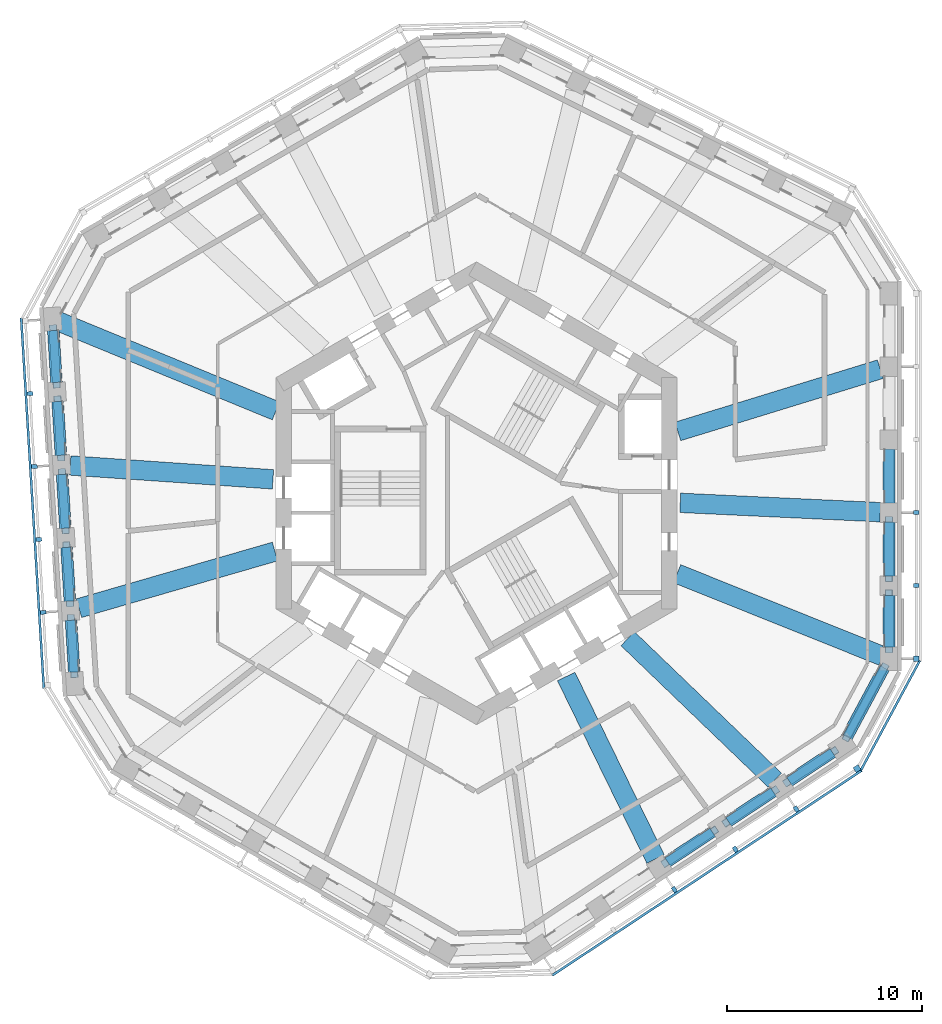
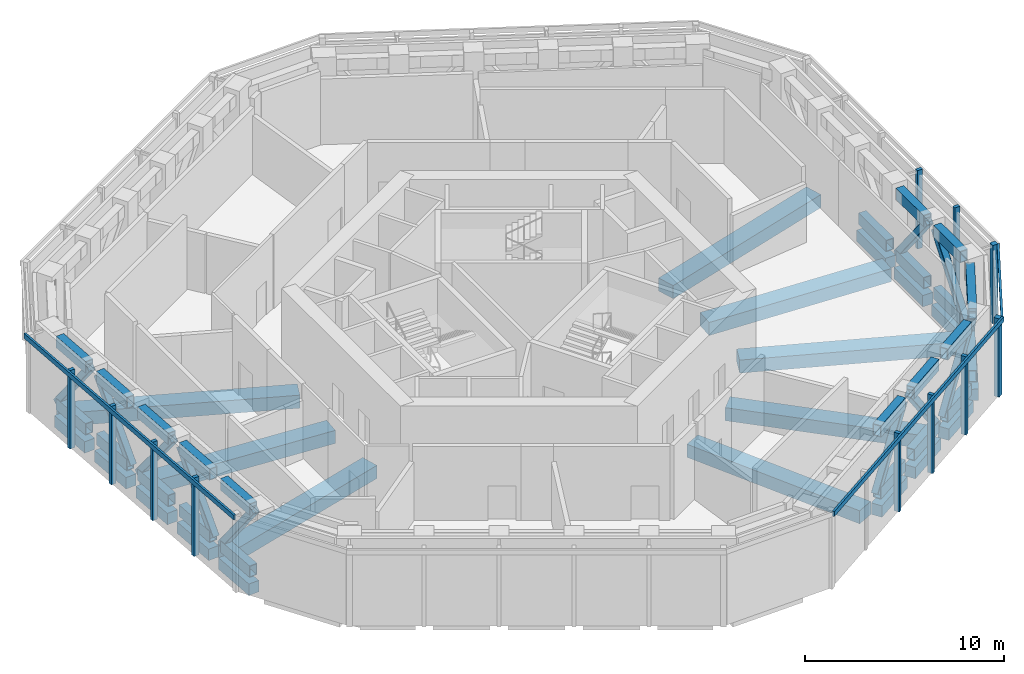
# One storey, part 2 of 15: 48 members, 20 beams, 4 elements without a shape of their own.
"""IFC4 building model written with IfcOpenShell, lengths in metres."""

import ifcopenshell
import ifcopenshell.guid

model = None  # the IFC model being written
_history = None  # IfcOwnerHistory: only IFC2X3 demands one
_inside = {}  # id of a spatial element -> (the spatial element, [elements in it])
_under = {}  # id of a project, library or spatial element -> (it, [spatial elements below it])
_declared = {}  # id of a project -> (the project, [libraries it declares])
_typed = {}  # id of a type object -> (the type object, [elements of that type])
_made_of = {}  # id of a material, layer set ... -> (it, [elements and type objects made of it])


def new_model(schema):
    """Start an empty IFC model of exactly this schema.

    Asked for "IFC4X3", IfcOpenShell would pick the latest addendum, in which some entities
    have other attributes; the version numbers below select the first issue.
    IFC2X3 requires an IfcOwnerHistory on every rooted entity: one is made here for all.
    """
    global model, _history
    if schema == "IFC4X3":
        model = ifcopenshell.file(schema_version=(4, 3, 0, 0))
    else:
        model = ifcopenshell.file(schema=schema)
    _inside.clear()
    _under.clear()
    _declared.clear()
    _typed.clear()
    _made_of.clear()
    _history = None
    if model.schema == "IFC2X3":
        org = make("IfcOrganization", Name="unknown")
        user = make(
            "IfcPersonAndOrganization",
            ThePerson=make("IfcPerson", FamilyName="unknown"),
            TheOrganization=org,
        )
        app = make(
            "IfcApplication",
            ApplicationDeveloper=org,
            Version="unknown",
            ApplicationFullName="unknown",
            ApplicationIdentifier="unknown",
        )
        _history = make(
            "IfcOwnerHistory",
            OwningUser=user,
            OwningApplication=app,
            ChangeAction="ADDED",
            CreationDate=0,
        )
    return model


def make(cls, **values):
    """One entity of the class cls with the attributes given. An attribute that is None is left unset."""
    return model.create_entity(
        cls, **{name: value for name, value in values.items() if value is not None}
    )


def rooted(cls, **values):
    """An entity with a GlobalId (a new one), such as an element, a storey or a relation."""
    return make(cls, GlobalId=ifcopenshell.guid.new(), OwnerHistory=_history, **values)


def si_unit(unit_type, name, prefix=None):
    """IfcSIUnit, for example si_unit("LENGTHUNIT", "METRE", prefix="MILLI")."""
    return make("IfcSIUnit", UnitType=unit_type, Prefix=prefix, Name=name)


def assignment(units):
    """IfcUnitAssignment: the units of a project."""
    return None if units is None else make("IfcUnitAssignment", Units=units)


def point(xyz):
    """IfcCartesianPoint."""
    return None if xyz is None else make("IfcCartesianPoint", Coordinates=xyz)


def direction(xyz):
    """IfcDirection."""
    return None if xyz is None else make("IfcDirection", DirectionRatios=xyz)


def frame(location, z_axis=None, x_axis=None):
    """IfcAxis2Placement3D, a coordinate frame: its origin and axes. An axis left out is left unset."""
    return make(
        "IfcAxis2Placement3D",
        Location=point(location),
        Axis=direction(z_axis),
        RefDirection=direction(x_axis),
    )


def frame_2d(location, x_axis=None):
    """IfcAxis2Placement2D, a coordinate frame in the plane: its origin and x axis."""
    return make(
        "IfcAxis2Placement2D", Location=point(location), RefDirection=direction(x_axis)
    )


def origin():
    """The frame at (0, 0, 0) with its axes left unset."""
    return frame((0.0, 0.0, 0.0))


def origin_2d():
    """The frame at (0, 0) in the plane with its x axis left unset."""
    return frame_2d((0.0, 0.0))


def place(relative_to, where):
    """IfcLocalPlacement: puts the frame where relative to a parent placement (None: the world)."""
    return make(
        "IfcLocalPlacement", PlacementRelTo=relative_to, RelativePlacement=where
    )


def context(
    kind, dimensions, precision=None, world=None, true_north=None, identifier=None
):
    """IfcGeometricRepresentationContext, for example the 3D "Model" context."""
    return make(
        "IfcGeometricRepresentationContext",
        ContextIdentifier=identifier,
        ContextType=kind,
        CoordinateSpaceDimension=dimensions,
        Precision=precision,
        WorldCoordinateSystem=world,
        TrueNorth=true_north,
    )


def subcontext(parent, identifier, kind, view, scale=None):
    """IfcGeometricRepresentationSubContext, for example "Body" below "Model"."""
    return make(
        "IfcGeometricRepresentationSubContext",
        ContextIdentifier=identifier,
        ContextType=kind,
        ParentContext=parent,
        TargetScale=scale,
        TargetView=view,
    )


def project(units=None, contexts=None):
    """IfcProject with its units and contexts."""
    return rooted(
        "IfcProject",
        Name="project",
        RepresentationContexts=contexts,
        UnitsInContext=assignment(units),
    )


def spatial(cls, under=None, at=None, **own):
    """A site, building, storey or space (cls), placed at a placement, below another one or the project."""
    s = rooted(cls, ObjectPlacement=at, **own)
    if under is not None:
        _under.setdefault(under.id(), (under, []))[1].append(s)
    return s


def profile(cls, at=None, kind="AREA", **sizes):
    """A parametric profile (cls). Its sizes go by their IFC names, for example OverallWidth=200.0."""
    return make(cls, ProfileType=kind, Position=at, **sizes)


def rectangle(**sizes):
    """IfcRectangleProfileDef."""
    return profile("IfcRectangleProfileDef", **sizes)


def hollow_rectangle(**sizes):
    """IfcRectangleHollowProfileDef."""
    return profile("IfcRectangleHollowProfileDef", **sizes)


def extrude(swept, where, along, depth):
    """IfcExtrudedAreaSolid: the profile swept, set in the frame where, extruded along a direction by depth."""
    return make(
        "IfcExtrudedAreaSolid",
        SweptArea=swept,
        Position=where,
        ExtrudedDirection=direction(along),
        Depth=depth,
    )


def shape(context_of_items, identifier, shape_type, items):
    """IfcShapeRepresentation: the items that make up one representation, for example the "Body"."""
    return make(
        "IfcShapeRepresentation",
        ContextOfItems=context_of_items,
        RepresentationIdentifier=identifier,
        RepresentationType=shape_type,
        Items=items,
    )


def material(Name=None, Category=None):
    """IfcMaterial."""
    return make("IfcMaterial", Name=Name, Category=Category)


def material_profile(
    of_material, cross_section, Name=None, Category=None, Priority=None
):
    """IfcMaterialProfile: a cross section and its material."""
    return make(
        "IfcMaterialProfile",
        Name=Name,
        Material=of_material,
        Profile=cross_section,
        Priority=Priority,
        Category=Category,
    )


def profile_set(profiles, Name=None, composite=None):
    """IfcMaterialProfileSet."""
    return make(
        "IfcMaterialProfileSet",
        Name=Name,
        MaterialProfiles=profiles,
        CompositeProfile=composite,
    )


def made_of(thing, what):
    """Note that an element or type object is made of a material, layer set ...; save() writes the relation."""
    if what is not None:
        _made_of.setdefault(what.id(), (what, []))[1].append(thing)
    return thing


def type_object(cls, material=None, **own):
    """A type object (cls), such as IfcWallType, which elements share."""
    return made_of(rooted(cls, **own), material)


def element(
    cls,
    number,
    at=None,
    inside=None,
    cuts=None,
    type_object=None,
    material=None,
    context=None,
    identifier="Body",
    shape_type=None,
    held_by="IfcProductDefinitionShape",
    body=None,
    shapes=None,
    **own,
):
    """One element of the class cls, such as IfcWall. Its Tag is "e" and its number.

    at: its placement. inside: the storey or other place that contains it. cuts: it is an
    opening in that element (IfcRelVoidsElement). A single representation is given by context,
    identifier, shape_type and body (its items); several are given by shapes. held_by: the class
    of the entity that holds the representations. save() writes the other relations.
    """
    e = rooted(cls, Tag="e%d" % number, ObjectPlacement=at, **own)
    if body is not None:
        shapes = [shape(context, identifier, shape_type, body)]
    if shapes is not None:
        e.Representation = make(held_by, Representations=shapes)
    if inside is not None:
        _inside.setdefault(inside.id(), (inside, []))[1].append(e)
    if cuts is not None:
        rooted(
            "IfcRelVoidsElement", RelatingBuildingElement=cuts, RelatedOpeningElement=e
        )
    if type_object is not None:
        _typed.setdefault(type_object.id(), (type_object, []))[1].append(e)
    return made_of(e, material)


def aggregate(whole, parts):
    """IfcRelAggregates: a whole, such as a stair, and the parts it consists of."""
    return rooted("IfcRelAggregates", RelatingObject=whole, RelatedObjects=parts)


def save(model, path):
    """Write the relations noted so far, then the file.

    IfcRelAggregates (storeys below a building ...), IfcRelContainedInSpatialStructure (elements
    in a storey), IfcRelDefinesByType, IfcRelAssociatesMaterial and IfcRelDeclares: one each for
    every whole, place, type object, material and project.
    """
    for whole, parts in _under.values():
        aggregate(whole, parts)
    for where, things in _inside.values():
        rooted(
            "IfcRelContainedInSpatialStructure",
            RelatedElements=things,
            RelatingStructure=where,
        )
    for kind, things in _typed.values():
        rooted("IfcRelDefinesByType", RelatedObjects=things, RelatingType=kind)
    for what, things in _made_of.values():
        rooted("IfcRelAssociatesMaterial", RelatedObjects=things, RelatingMaterial=what)
    for by, libraries in _declared.values():
        rooted("IfcRelDeclares", RelatingContext=by, RelatedDefinitions=libraries)
    model.write(path)


model = new_model("IFC4")

# Units and contexts
model_context = context("Model", 3, precision=1e-05, world=origin(), true_north=direction((0.0, 1.0)))
body_context = subcontext(model_context, "Body", "Model", "MODEL_VIEW")
ifc_project = project(units=[si_unit("LENGTHUNIT", "METRE"), si_unit("AREAUNIT", "SQUARE_METRE"), si_unit("VOLUMEUNIT", "CUBIC_METRE"), si_unit("PLANEANGLEUNIT", "RADIAN"), si_unit("MASSUNIT", "GRAM", prefix="KILO")], contexts=[model_context])

# Site, building, storey
site_placement = place(None, origin())
site = spatial("IfcSite", under=ifc_project, at=site_placement, CompositionType="ELEMENT")
building_placement = place(site_placement, origin())
building = spatial("IfcBuilding", under=site, at=building_placement, Name="Vanh Sen Convention Tower", CompositionType="ELEMENT")
storey_placement = place(building_placement, frame((0.0, 0.0, 205.800048828125)))
storey = spatial("IfcBuildingStorey", under=building, at=storey_placement, Name="L51", CompositionType="ELEMENT", Elevation=205.800048828125)

# Members
ifc_material_1 = material(Name="Steel S460", Category="steel")
ifc_material_profile_1 = material_profile(ifc_material_1, hollow_rectangle(XDim=0.449951171875, YDim=0.699951171875, WallThickness=0.035888671875, at=origin_2d()), Name="BOX 700X450X36")
ifc_profile_set_1 = profile_set([ifc_material_profile_1], Name="Steel S460")
member_type_1 = type_object("IfcMemberType", Name="Belt truss chord BOX 700X450X36", PredefinedType="CHORD", material=ifc_profile_set_1)
for number, where, z_axis, x_axis, name in (
    (1, (21.199951171875, -7.906005859375, 0.349853515625), (0.0, 1.0, 0.0), (-1.0, 0.0, 0.0), "BELT TRUSS chord bottom 01 L51"),
    (2, (21.199951171875, -7.906005859375, 4.14990234375), (0.0, 1.0, 0.0), (-1.0, 0.0, 0.0), "BELT TRUSS chord top 01 L51"),
):
    element("IfcMember", number, at=place(storey_placement, frame(where, z_axis=z_axis, x_axis=x_axis)), inside=storey, type_object=member_type_1, Name=name, PredefinedType="CHORD", context=body_context, shape_type="SweptSolid", body=[
        extrude(hollow_rectangle(XDim=0.449951171875, YDim=0.699951171875, WallThickness=0.035888671875, at=origin_2d()), origin(), (0.0, 0.0, 1.0), 2.6640625),
    ])
for number, where, z_axis, x_axis, name in (
    (3, (21.199951171875, -4.251953125, 0.349853515625), (0.0, 1.0, 0.0), (-1.0, 0.0, 0.0), "BELT TRUSS chord bottom 02 L51"),
    (4, (21.199951171875, -4.251953125, 4.14990234375), (0.0, 1.0, 0.0), (-1.0, 0.0, 0.0), "BELT TRUSS chord top 02 L51"),
    (5, (21.199951171875, -0.497802734375, 0.349853515625), (0.0, 1.0, 0.0), (-1.0, 0.0, 0.0), "BELT TRUSS chord bottom 03 L51"),
):
    element("IfcMember", number, at=place(storey_placement, frame(where, z_axis=z_axis, x_axis=x_axis)), inside=storey, type_object=member_type_1, Name=name, PredefinedType="CHORD", context=body_context, shape_type="SweptSolid", body=[
        extrude(hollow_rectangle(XDim=0.449951171875, YDim=0.699951171875, WallThickness=0.035888671875, at=origin_2d()), origin(), (0.0, 0.0, 1.0), 2.76416015625),
    ])
for number, where, z_axis, x_axis, name in (
    (6, (-21.751220703125, 8.3623046875, 0.349853515625), (0.061123105648, -0.998130234967, 0.0), (0.998130234967, 0.061123105648, 0.0), "BELT TRUSS chord bottom 19 L51"),
    (7, (-21.751220703125, 8.3623046875, 4.14990234375), (0.061123105648, -0.998130234967, 0.0), (0.998130234967, 0.061123105648, 0.0), "BELT TRUSS chord top 19 L51"),
):
    element("IfcMember", number, at=place(storey_placement, frame(where, z_axis=z_axis, x_axis=x_axis)), inside=storey, type_object=member_type_1, Name=name, PredefinedType="CHORD", context=body_context, shape_type="SweptSolid", body=[
        extrude(hollow_rectangle(XDim=0.449951171875, YDim=0.699951171875, WallThickness=0.035888671875, at=origin_2d()), origin(), (0.0, 0.0, 1.0), 2.6640625),
    ])
for number, where, z_axis, x_axis, name in (
    (8, (-21.528076171875, 4.715087890625, 0.349853515625), (0.061113654492, -0.998130813689, 0.0), (0.998130813689, 0.061113654492, 0.0), "BELT TRUSS chord bottom 20 L51"),
    (9, (-21.528076171875, 4.715087890625, 4.14990234375), (0.061113654492, -0.998130813689, 0.0), (0.998130813689, 0.061113654492, 0.0), "BELT TRUSS chord top 20 L51"),
    (10, (-21.298828125, 0.968017578125, 0.349853515625), (0.061113654492, -0.998130813689, 0.0), (0.998130813689, 0.061113654492, 0.0), "BELT TRUSS chord bottom 21 L51"),
    (11, (-21.298828125, 0.968017578125, 4.14990234375), (0.061113654492, -0.998130813689, 0.0), (0.998130813689, 0.061113654492, 0.0), "BELT TRUSS chord top 21 L51"),
):
    element("IfcMember", number, at=place(storey_placement, frame(where, z_axis=z_axis, x_axis=x_axis)), inside=storey, type_object=member_type_1, Name=name, PredefinedType="CHORD", context=body_context, shape_type="SweptSolid", body=[
        extrude(hollow_rectangle(XDim=0.449951171875, YDim=0.699951171875, WallThickness=0.035888671875, at=origin_2d()), origin(), (0.0, 0.0, 1.0), 2.764404296875),
    ])
for number, where, z_axis, x_axis, name in (
    (12, (-21.069580078125, -2.779296875, 0.349853515625), (0.061036429863, -0.998135539007, 0.0), (0.998135539007, 0.061036429863, 0.0), "BELT TRUSS chord bottom 22 L51"),
    (13, (-21.069580078125, -2.779296875, 4.14990234375), (0.061036429863, -0.998135539007, 0.0), (0.998135539007, 0.061036429863, 0.0), "BELT TRUSS chord top 22 L51"),
):
    element("IfcMember", number, at=place(storey_placement, frame(where, z_axis=z_axis, x_axis=x_axis)), inside=storey, type_object=member_type_1, Name=name, PredefinedType="CHORD", context=body_context, shape_type="SweptSolid", body=[
        extrude(hollow_rectangle(XDim=0.449951171875, YDim=0.699951171875, WallThickness=0.035888671875, at=origin_2d()), origin(), (0.0, 0.0, 1.0), 2.763916015625),
    ])
for number, where, z_axis, x_axis, name in (
    (14, (-20.840576171875, -6.5263671875, 0.349853515625), (0.061123105648, -0.998130234967, 0.0), (0.998130234967, 0.061123105648, 0.0), "BELT TRUSS chord bottom 23 L51"),
    (15, (-20.840576171875, -6.5263671875, 4.14990234375), (0.061123105648, -0.998130234967, 0.0), (0.998130234967, 0.061123105648, 0.0), "BELT TRUSS chord top 23 L51"),
):
    element("IfcMember", number, at=place(storey_placement, frame(where, z_axis=z_axis, x_axis=x_axis)), inside=storey, type_object=member_type_1, Name=name, PredefinedType="CHORD", context=body_context, shape_type="SweptSolid", body=[
        extrude(hollow_rectangle(XDim=0.449951171875, YDim=0.699951171875, WallThickness=0.035888671875, at=origin_2d()), origin(), (0.0, 0.0, 1.0), 2.6640625),
    ])
for number, where, z_axis, x_axis, name in (
    (16, (9.811279296875, -18.92919921875, 0.349853515625), (0.833880195108, 0.551945486625, 0.0), (-0.551945486625, 0.833880195108, 0.0), "BELT TRUSS chord bottom 33 L51"),
    (17, (9.811279296875, -18.92919921875, 4.14990234375), (0.833880195108, 0.551945486625, 0.0), (-0.551945486625, 0.833880195108, 0.0), "BELT TRUSS chord top 33 L51"),
    (18, (12.941650390625, -16.857177734375, 0.349853515625), (0.833880195108, 0.551945486625, 0.0), (-0.551945486625, 0.833880195108, 0.0), "BELT TRUSS chord bottom 34 L51"),
    (19, (12.941650390625, -16.857177734375, 4.14990234375), (0.833880195108, 0.551945486625, 0.0), (-0.551945486625, 0.833880195108, 0.0), "BELT TRUSS chord top 34 L51"),
):
    element("IfcMember", number, at=place(storey_placement, frame(where, z_axis=z_axis, x_axis=x_axis)), inside=storey, type_object=member_type_1, Name=name, PredefinedType="CHORD", context=body_context, shape_type="SweptSolid", body=[
        extrude(hollow_rectangle(XDim=0.449951171875, YDim=0.699951171875, WallThickness=0.035888671875, at=origin_2d()), origin(), (0.0, 0.0, 1.0), 2.76416015625),
    ])
for number, where, z_axis, x_axis, name in (
    (20, (16.072265625, -14.78515625, 0.349853515625), (0.833864593577, 0.551969056722, 0.0), (-0.551969056722, 0.833864593577, 0.0), "BELT TRUSS chord bottom 35 L51"),
    (21, (16.072265625, -14.78515625, 4.14990234375), (0.833864593577, 0.551969056722, 0.0), (-0.551969056722, 0.833864593577, 0.0), "BELT TRUSS chord top 35 L51"),
):
    element("IfcMember", number, at=place(storey_placement, frame(where, z_axis=z_axis, x_axis=x_axis)), inside=storey, type_object=member_type_1, Name=name, PredefinedType="CHORD", context=body_context, shape_type="SweptSolid", body=[
        extrude(hollow_rectangle(XDim=0.449951171875, YDim=0.699951171875, WallThickness=0.035888671875, at=origin_2d()), origin(), (0.0, 0.0, 1.0), 2.6640625),
    ])
for number, where, z_axis, x_axis, name in (
    (22, (19.039306640625, -12.522216796875, 0.349853515625), (0.473331705403, 0.880884269731, 0.0), (-0.880884269731, 0.473331705403, 0.0), "BELT TRUSS chord bottom 36 L51"),
    (23, (19.039306640625, -12.522216796875, 4.14990234375), (0.473331705403, 0.880884269731, 0.0), (-0.880884269731, 0.473331705403, 0.0), "BELT TRUSS chord top 36 L51"),
):
    element("IfcMember", number, at=place(storey_placement, frame(where, z_axis=z_axis, x_axis=x_axis)), inside=storey, type_object=member_type_1, Name=name, PredefinedType="CHORD", context=body_context, shape_type="SweptSolid", body=[
        extrude(hollow_rectangle(XDim=0.449951171875, YDim=0.699951171875, WallThickness=0.035888671875, at=origin_2d()), origin(), (0.0, 0.0, 1.0), 4.0380859375),
    ])
ifc_material_2 = material(Name="Steel S355", Category="steel")
ifc_material_profile_2 = material_profile(ifc_material_2, hollow_rectangle(XDim=0.39990234375, YDim=0.39990234375, WallThickness=0.02001953125, InnerFilletRadius=0.02001953125, OuterFilletRadius=0.0400390625, at=origin_2d()), Name="SHS 400X400X20")
ifc_profile_set_2 = profile_set([ifc_material_profile_2], Name="Steel S355")
member_type_2 = type_object("IfcMemberType", Name="Belt truss diagonal SHS 400X400X20", PredefinedType="BRACE", material=ifc_profile_set_2)
member_1_placement = place(storey_placement, frame((21.199951171875, -8.04833984375, 0.349853515625), z_axis=(0.0, 0.613051183935, 0.790043192412), x_axis=(-1.0, 0.0, 0.0)))
element("IfcMember", 24, at=member_1_placement, inside=storey, type_object=member_type_2, Name="BELT TRUSS diagonal 01 L51", PredefinedType="BRACE", context=body_context, shape_type="SweptSolid", body=[
    extrude(hollow_rectangle(XDim=0.39990234375, YDim=0.39990234375, WallThickness=0.02001953125, InnerFilletRadius=0.02001953125, OuterFilletRadius=0.0400390625, at=origin_2d()), origin(), (0.0, 0.0, 1.0), 4.809814453125),
])
member_2_placement = place(storey_placement, frame((21.199951171875, -4.394287109375, 4.14990234375), z_axis=(0.0, 0.625794439819, -0.779988024967), x_axis=(-1.0, 0.0, 0.0)))
element("IfcMember", 25, at=member_2_placement, inside=storey, type_object=member_type_2, Name="BELT TRUSS diagonal 02 L51", PredefinedType="BRACE", context=body_context, shape_type="SweptSolid", body=[
    extrude(hollow_rectangle(XDim=0.39990234375, YDim=0.39990234375, WallThickness=0.02001953125, InnerFilletRadius=0.02001953125, OuterFilletRadius=0.0400390625, at=origin_2d()), origin(), (0.0, 0.0, 1.0), 4.871826171875),
])
member_3_placement = place(storey_placement, frame((-21.759765625, 8.50439453125, 0.349853515625), z_axis=(0.037458502384, -0.611923719168, 0.790029254217), x_axis=(0.998131651872, 0.061099963427, 0.0)))
element("IfcMember", 26, at=member_3_placement, inside=storey, type_object=member_type_2, Name="BELT TRUSS diagonal 19 L51", PredefinedType="BRACE", context=body_context, shape_type="SweptSolid", body=[
    extrude(hollow_rectangle(XDim=0.39990234375, YDim=0.39990234375, WallThickness=0.02001953125, InnerFilletRadius=0.02001953125, OuterFilletRadius=0.0400390625, at=origin_2d()), origin(), (0.0, 0.0, 1.0), 4.81005859375),
])
member_4_placement = place(storey_placement, frame((-21.53662109375, 4.857177734375, 4.14990234375), z_axis=(0.03818476431, -0.624636597276, -0.779981438957), x_axis=(0.998136710932, 0.061017262233, 0.0)))
element("IfcMember", 27, at=member_4_placement, inside=storey, type_object=member_type_2, Name="BELT TRUSS diagonal 20 L51", PredefinedType="BRACE", context=body_context, shape_type="SweptSolid", body=[
    extrude(hollow_rectangle(XDim=0.39990234375, YDim=0.39990234375, WallThickness=0.02001953125, InnerFilletRadius=0.02001953125, OuterFilletRadius=0.0400390625, at=origin_2d()), origin(), (0.0, 0.0, 1.0), 4.8720703125),
])
member_5_placement = place(storey_placement, frame((-21.3076171875, 1.10986328125, 0.349853515625), z_axis=(0.038235999143, -0.624604840518, 0.780004359969), x_axis=(0.998131531962, 0.061101922247, 0.0)))
element("IfcMember", 28, at=member_5_placement, inside=storey, type_object=member_type_2, Name="BELT TRUSS diagonal 21 L51", PredefinedType="BRACE", context=body_context, shape_type="SweptSolid", body=[
    extrude(hollow_rectangle(XDim=0.39990234375, YDim=0.39990234375, WallThickness=0.02001953125, InnerFilletRadius=0.02001953125, OuterFilletRadius=0.0400390625, at=origin_2d()), origin(), (0.0, 0.0, 1.0), 4.871826171875),
])
member_6_placement = place(storey_placement, frame((-21.078369140625, -2.63720703125, 4.14990234375), z_axis=(0.03823480234, -0.624635401262, -0.779979945499), x_axis=(0.998131830905, 0.061097038667, 0.0)))
element("IfcMember", 29, at=member_6_placement, inside=storey, type_object=member_type_2, Name="BELT TRUSS diagonal 22 L51", PredefinedType="BRACE", context=body_context, shape_type="SweptSolid", body=[
    extrude(hollow_rectangle(XDim=0.39990234375, YDim=0.39990234375, WallThickness=0.02001953125, InnerFilletRadius=0.02001953125, OuterFilletRadius=0.0400390625, at=origin_2d()), origin(), (0.0, 0.0, 1.0), 4.8720703125),
])
member_7_placement = place(storey_placement, frame((-20.84912109375, -6.38427734375, 0.349853515625), z_axis=(0.03740897855, -0.611893129479, 0.790055293268), x_axis=(0.9981363893, 0.061022523344, 0.0)))
element("IfcMember", 30, at=member_7_placement, inside=storey, type_object=member_type_2, Name="BELT TRUSS diagonal 23 L51", PredefinedType="BRACE", context=body_context, shape_type="SweptSolid", body=[
    extrude(hollow_rectangle(XDim=0.39990234375, YDim=0.39990234375, WallThickness=0.02001953125, InnerFilletRadius=0.02001953125, OuterFilletRadius=0.0400390625, at=origin_2d()), origin(), (0.0, 0.0, 1.0), 4.809814453125),
])
for number, where, z_axis, x_axis, name in (
    (31, (9.6923828125, -19.0078125, 0.349853515625), (0.521862251836, 0.345369179917, 0.779987127889), (-0.551888193419, 0.833918114664, 0.0), "BELT TRUSS diagonal 33 L51"),
    (32, (12.822998046875, -16.935791015625, 4.14990234375), (0.521825786206, 0.34537821171, -0.78000752543), (-0.551925048977, 0.833893722432, 0.0), "BELT TRUSS diagonal 34 L51"),
):
    element("IfcMember", number, at=place(storey_placement, frame(where, z_axis=z_axis, x_axis=x_axis)), inside=storey, type_object=member_type_2, Name=name, PredefinedType="BRACE", context=body_context, shape_type="SweptSolid", body=[
        extrude(hollow_rectangle(XDim=0.39990234375, YDim=0.39990234375, WallThickness=0.02001953125, InnerFilletRadius=0.02001953125, OuterFilletRadius=0.0400390625, at=origin_2d()), origin(), (0.0, 0.0, 1.0), 4.871826171875),
    ])
member_8_placement = place(storey_placement, frame((15.95361328125, -14.86376953125, 0.349853515625), z_axis=(0.51119204802, 0.338358275455, 0.790060989717), x_axis=(-0.551945651284, 0.833880086121, 0.0)))
element("IfcMember", 33, at=member_8_placement, inside=storey, type_object=member_type_2, Name="BELT TRUSS diagonal 35 L51", PredefinedType="BRACE", context=body_context, shape_type="SweptSolid", body=[
    extrude(hollow_rectangle(XDim=0.39990234375, YDim=0.39990234375, WallThickness=0.02001953125, InnerFilletRadius=0.02001953125, OuterFilletRadius=0.0400390625, at=origin_2d()), origin(), (0.0, 0.0, 1.0), 4.809814453125),
])
member_9_placement = place(storey_placement, frame((19.00244140625, -12.5908203125, 4.14990234375), z_axis=(0.350761057055, 0.652775343174, -0.671454415577), x_axis=(-0.880883866585, 0.47333245567, 0.0)))
element("IfcMember", 34, at=member_9_placement, inside=storey, type_object=member_type_2, Name="BELT TRUSS diagonal 36 L51", PredefinedType="BRACE", context=body_context, shape_type="SweptSolid", body=[
    extrude(hollow_rectangle(XDim=0.39990234375, YDim=0.39990234375, WallThickness=0.02001953125, InnerFilletRadius=0.02001953125, OuterFilletRadius=0.0400390625, at=origin_2d()), origin(), (0.0, 0.0, 1.0), 5.659423828125),
])

# Curtain wall, member
ifc_material_3 = material(Name="Concrete C50/60", Category="concrete")
curtain_wall_type = type_object("IfcCurtainWallType", Name="Outer skin office zone", PredefinedType="NOTDEFINED", material=ifc_material_3)
curtain_wall_1_placement = place(storey_placement, origin())
curtain_wall_1 = element("IfcCurtainWall", 35, at=curtain_wall_1_placement, inside=storey, type_object=curtain_wall_type, Name="OUTER SKIN E L51", PredefinedType="NOTDEFINED")
ifc_material_profile_3 = material_profile(ifc_material_3, rectangle(XDim=0.300048828125, YDim=0.300048828125, at=origin_2d()), Name="Outer skin precast corner fin 300 x 300")
ifc_profile_set_3 = profile_set([ifc_material_profile_3], Name="Concrete C50/60")
member_type_3 = type_object("IfcMemberType", Name="Outer skin precast corner fin 300 x 300", PredefinedType="MULLION", material=ifc_profile_set_3)
member_10_placement = place(storey_placement, frame((22.60009765625, -8.5009765625, 0.0), z_axis=(0.0, 0.0, 1.0), x_axis=(0.0, 1.0, 0.0)))
member_10 = element("IfcMember", 36, at=member_10_placement, type_object=member_type_3, Name="OUTER SKIN CORNER FIN 1 E L51", PredefinedType="MULLION", context=body_context, shape_type="SweptSolid", body=[
    extrude(rectangle(XDim=0.300048828125, YDim=0.300048828125, at=origin_2d()), origin(), (0.0, 0.0, 1.0), 4.800048828125),
])

curtain_wall_2_placement = place(storey_placement, origin())
curtain_wall_2 = element("IfcCurtainWall", 37, at=curtain_wall_2_placement, inside=storey, type_object=curtain_wall_type, Name="OUTER SKIN SE L51", PredefinedType="NOTDEFINED")
member_11_placement = place(storey_placement, frame((19.5625, -14.15380859375, 0.0), z_axis=(0.0, 0.0, 1.0), x_axis=(0.833885822067, 0.551936985312, 0.0)))
member_11 = element("IfcMember", 38, at=member_11_placement, type_object=member_type_3, Name="OUTER SKIN CORNER FIN 6 SE L51", PredefinedType="MULLION", context=body_context, shape_type="SweptSolid", body=[
    extrude(rectangle(XDim=0.300048828125, YDim=0.300048828125, at=origin_2d()), origin(), (0.0, 0.0, 1.0), 4.800048828125),
])

# Member
ifc_material_profile_4 = material_profile(ifc_material_3, rectangle(XDim=0.199951171875, YDim=0.300048828125, at=origin_2d()), Name="Outer skin precast fin 200 x 300")
ifc_profile_set_4 = profile_set([ifc_material_profile_4], Name="Concrete C50/60")
member_type_4 = type_object("IfcMemberType", Name="Outer skin precast fin 200 x 300", PredefinedType="MULLION", material=ifc_profile_set_4)
member_12_placement = place(storey_placement, frame((22.60009765625, -4.746826171875, 0.0), z_axis=(0.0, 0.0, 1.0), x_axis=(0.0, 1.0, 0.0)))
member_12 = element("IfcMember", 39, at=member_12_placement, type_object=member_type_4, Name="OUTER SKIN fin 2 E L51", PredefinedType="MULLION", context=body_context, shape_type="SweptSolid", body=[
    extrude(rectangle(XDim=0.199951171875, YDim=0.300048828125, at=origin_2d()), origin(), (0.0, 0.0, 1.0), 4.800048828125),
])

member_13_placement = place(storey_placement, frame((22.60009765625, -0.992919921875, 0.0), z_axis=(0.0, 0.0, 1.0), x_axis=(0.0, 1.0, 0.0)))
member_13 = element("IfcMember", 40, at=member_13_placement, type_object=member_type_4, Name="OUTER SKIN fin 3 E L51", PredefinedType="MULLION", context=body_context, shape_type="SweptSolid", body=[
    extrude(rectangle(XDim=0.199951171875, YDim=0.300048828125, at=origin_2d()), origin(), (0.0, 0.0, 1.0), 4.800048828125),
])

aggregate(curtain_wall_1, [member_10, member_12, member_13])

# Curtain wall, members
curtain_wall_3_placement = place(storey_placement, origin())
curtain_wall_3 = element("IfcCurtainWall", 41, at=curtain_wall_3_placement, inside=storey, type_object=curtain_wall_type, Name="OUTER SKIN W L51", PredefinedType="NOTDEFINED")
member_14_placement = place(storey_placement, frame((-22.95556640625, 5.12353515625, 0.0), z_axis=(0.0, 0.0, 1.0), x_axis=(0.061048539535, -0.998134798422, 0.0)))
member_14 = element("IfcMember", 42, at=member_14_placement, type_object=member_type_4, Name="OUTER SKIN fin 2 W L51", PredefinedType="MULLION", context=body_context, shape_type="SweptSolid", body=[
    extrude(rectangle(XDim=0.199951171875, YDim=0.300048828125, at=origin_2d()), origin(), (0.0, 0.0, 1.0), 4.800048828125),
])
member_15_placement = place(storey_placement, frame((-22.726318359375, 1.37646484375, 0.0), z_axis=(0.0, 0.0, 1.0), x_axis=(0.061048539535, -0.998134798422, 0.0)))
member_15 = element("IfcMember", 43, at=member_15_placement, type_object=member_type_4, Name="OUTER SKIN fin 3 W L51", PredefinedType="MULLION", context=body_context, shape_type="SweptSolid", body=[
    extrude(rectangle(XDim=0.199951171875, YDim=0.300048828125, at=origin_2d()), origin(), (0.0, 0.0, 1.0), 4.800048828125),
])
member_16_placement = place(storey_placement, frame((-22.497314453125, -2.37060546875, 0.0), z_axis=(0.0, 0.0, 1.0), x_axis=(0.061048539535, -0.998134798422, 0.0)))
member_16 = element("IfcMember", 44, at=member_16_placement, type_object=member_type_4, Name="OUTER SKIN fin 4 W L51", PredefinedType="MULLION", context=body_context, shape_type="SweptSolid", body=[
    extrude(rectangle(XDim=0.199951171875, YDim=0.300048828125, at=origin_2d()), origin(), (0.0, 0.0, 1.0), 4.800048828125),
])
member_17_placement = place(storey_placement, frame((-22.26806640625, -6.117919921875, 0.0), z_axis=(0.0, 0.0, 1.0), x_axis=(0.061048539535, -0.998134798422, 0.0)))
member_17 = element("IfcMember", 45, at=member_17_placement, type_object=member_type_4, Name="OUTER SKIN fin 5 W L51", PredefinedType="MULLION", context=body_context, shape_type="SweptSolid", body=[
    extrude(rectangle(XDim=0.199951171875, YDim=0.300048828125, at=origin_2d()), origin(), (0.0, 0.0, 1.0), 4.800048828125),
])

# Member
member_18_placement = place(storey_placement, frame((10.171142578125, -20.369873046875, 0.0), z_axis=(0.0, 0.0, 1.0), x_axis=(0.833885822067, 0.551936985312, 0.0)))
member_18 = element("IfcMember", 46, at=member_18_placement, type_object=member_type_4, Name="OUTER SKIN fin 3 SE L51", PredefinedType="MULLION", context=body_context, shape_type="SweptSolid", body=[
    extrude(rectangle(XDim=0.199951171875, YDim=0.300048828125, at=origin_2d()), origin(), (0.0, 0.0, 1.0), 4.800048828125),
])

member_19_placement = place(storey_placement, frame((13.301513671875, -18.2978515625, 0.0), z_axis=(0.0, 0.0, 1.0), x_axis=(0.833885822067, 0.551936985312, 0.0)))
member_19 = element("IfcMember", 47, at=member_19_placement, type_object=member_type_4, Name="OUTER SKIN fin 4 SE L51", PredefinedType="MULLION", context=body_context, shape_type="SweptSolid", body=[
    extrude(rectangle(XDim=0.199951171875, YDim=0.300048828125, at=origin_2d()), origin(), (0.0, 0.0, 1.0), 4.800048828125),
])

member_20_placement = place(storey_placement, frame((16.43212890625, -16.225830078125, 0.0), z_axis=(0.0, 0.0, 1.0), x_axis=(0.833885822067, 0.551936985312, 0.0)))
member_20 = element("IfcMember", 48, at=member_20_placement, type_object=member_type_4, Name="OUTER SKIN fin 5 SE L51", PredefinedType="MULLION", context=body_context, shape_type="SweptSolid", body=[
    extrude(rectangle(XDim=0.199951171875, YDim=0.300048828125, at=origin_2d()), origin(), (0.0, 0.0, 1.0), 4.800048828125),
])

ifc_material_profile_5 = material_profile(ifc_material_3, rectangle(XDim=0.1201171875, YDim=0.300048828125, at=origin_2d()), Name="Outer skin precast spandrel band 300 x 120")
ifc_profile_set_5 = profile_set([ifc_material_profile_5], Name="Concrete C50/60")
member_type_5 = type_object("IfcMemberType", Name="Outer skin precast spandrel band 300 x 120", PredefinedType="USERDEFINED", material=ifc_profile_set_5)
member_21_placement = place(storey_placement, frame((-23.403564453125, 9.007568359375, 4.64990234375), z_axis=(0.061052799403, -0.998134537868, 0.0), x_axis=(0.998134537868, 0.061052799403, 0.0)))
member_21 = element("IfcMember", 49, at=member_21_placement, type_object=member_type_5, Name="OUTER SKIN spandrel band W L51", ObjectType="TRANSOM", PredefinedType="USERDEFINED", context=body_context, shape_type="SweptSolid", body=[
    extrude(rectangle(XDim=0.1201171875, YDim=0.300048828125, at=origin_2d()), origin(), (0.0, 0.0, 1.0), 19.070556640625),
])

aggregate(curtain_wall_3, [member_14, member_15, member_16, member_17, member_21])

member_22_placement = place(storey_placement, frame((3.90087890625, -24.771728515625, 4.64990234375), z_axis=(0.833891134859, 0.551928958475, 0.0), x_axis=(-0.551928958475, 0.833891134859, 0.0)))
member_22 = element("IfcMember", 50, at=member_22_placement, type_object=member_type_5, Name="OUTER SKIN spandrel band SE L51", ObjectType="TRANSOM", PredefinedType="USERDEFINED", context=body_context, shape_type="SweptSolid", body=[
    extrude(rectangle(XDim=0.1201171875, YDim=0.300048828125, at=origin_2d()), origin(), (0.0, 0.0, 1.0), 19.070556640625),
])

aggregate(curtain_wall_2, [member_18, member_19, member_20, member_11, member_22])

# Curtain wall, member
curtain_wall_4_placement = place(storey_placement, origin())
curtain_wall_4 = element("IfcCurtainWall", 51, at=curtain_wall_4_placement, inside=storey, type_object=curtain_wall_type, Name="OUTER SKIN CH6 L51", PredefinedType="NOTDEFINED")
member_23_placement = place(storey_placement, frame((19.74755859375, -14.253173828125, 4.64990234375), z_axis=(0.473316922434, 0.880892213008, 0.0), x_axis=(-0.880892213008, 0.473316922434, 0.0)))
member_23 = element("IfcMember", 52, at=member_23_placement, type_object=member_type_5, Name="OUTER SKIN spandrel band CH6 L51", ObjectType="TRANSOM", PredefinedType="USERDEFINED", context=body_context, shape_type="SweptSolid", body=[
    extrude(rectangle(XDim=0.1201171875, YDim=0.300048828125, at=origin_2d()), origin(), (0.0, 0.0, 1.0), 6.417236328125),
])
aggregate(curtain_wall_4, [member_23])

# Beams
ifc_material_4 = material(Name="Concrete C50/60", Category="concrete")
ifc_material_profile_6 = material_profile(ifc_material_4, rectangle(XDim=1.0, YDim=0.800048828125, at=origin_2d()), Name="RC 1000X800")
ifc_profile_set_6 = profile_set([ifc_material_profile_6], Name="Concrete C50/60")
beam_type_1 = type_object("IfcBeamType", Name="Radial floor beam 1000 x 800", PredefinedType="BEAM", material=ifc_profile_set_6)
beam_1_placement = place(storey_placement, frame((20.990478515625, -8.4169921875, -0.75), z_axis=(-0.928154460031, 0.372195242212, 0.0), x_axis=(-0.372195242212, -0.928154460031, 0.0)))
element("IfcBeam", 53, at=beam_1_placement, inside=storey, type_object=beam_type_1, Name="Radial beam 01 L51", PredefinedType="BEAM", context=body_context, shape_type="SweptSolid", body=[
    extrude(rectangle(XDim=1.0, YDim=0.800048828125, at=origin_2d()), origin(), (0.0, 0.0, 1.0), 11.508056640625),
])
beam_2_placement = place(storey_placement, frame((20.7548828125, -0.971923828125, -0.75), z_axis=(-0.998905807226, 0.046767384897, 0.0), x_axis=(-0.046767384897, -0.998905807226, 0.0)))
element("IfcBeam", 54, at=beam_2_placement, inside=storey, type_object=beam_type_1, Name="Radial beam 02 L51", PredefinedType="BEAM", context=body_context, shape_type="SweptSolid", body=[
    extrude(rectangle(XDim=1.0, YDim=0.800048828125, at=origin_2d()), origin(), (0.0, 0.0, 1.0), 10.29443359375),
])
beam_3_placement = place(storey_placement, frame((20.7548828125, 6.378662109375, -0.75), z_axis=(-0.955875930778, -0.293770667289, 0.0), x_axis=(0.293770667289, -0.955875930778, 0.0)))
element("IfcBeam", 55, at=beam_3_placement, inside=storey, type_object=beam_type_1, Name="Radial beam 03 L51", PredefinedType="BEAM", context=body_context, shape_type="SweptSolid", body=[
    extrude(rectangle(XDim=1.0, YDim=0.800048828125, at=origin_2d()), origin(), (0.0, 0.0, 1.0), 10.886962890625),
])
beam_4_placement = place(storey_placement, frame((-21.579833984375, 8.870849609375, -0.75), z_axis=(0.924898608038, -0.380213840948, 0.0), x_axis=(0.380213840948, 0.924898608038, 0.0)))
element("IfcBeam", 56, at=beam_4_placement, inside=storey, type_object=beam_type_1, Name="Radial beam 10 L51", PredefinedType="BEAM", context=body_context, shape_type="SweptSolid", body=[
    extrude(rectangle(XDim=1.0, YDim=0.800048828125, at=origin_2d()), origin(), (0.0, 0.0, 1.0), 12.18994140625),
])
beam_5_placement = place(storey_placement, frame((-20.88134765625, 1.43115234375, -0.75), z_axis=(0.997660163448, -0.06836810857, 0.0), x_axis=(0.06836810857, 0.997660163448, 0.0)))
element("IfcBeam", 57, at=beam_5_placement, inside=storey, type_object=beam_type_1, Name="Radial beam 11 L51", PredefinedType="BEAM", context=body_context, shape_type="SweptSolid", body=[
    extrude(rectangle(XDim=1.0, YDim=0.800048828125, at=origin_2d()), origin(), (0.0, 0.0, 1.0), 10.445068359375),
])
beam_6_placement = place(storey_placement, frame((-20.4326171875, -5.905517578125, -0.75), z_axis=(0.96068328251, 0.277646593181, 0.0), x_axis=(-0.277646593181, 0.96068328251, 0.0)))
element("IfcBeam", 58, at=beam_6_placement, inside=storey, type_object=beam_type_1, Name="Radial beam 12 L51", PredefinedType="BEAM", context=body_context, shape_type="SweptSolid", body=[
    extrude(rectangle(XDim=1.0, YDim=0.800048828125, at=origin_2d()), origin(), (0.0, 0.0, 1.0), 10.488525390625),
])
beam_7_placement = place(storey_placement, frame((9.201171875, -18.79931640625, -0.75), z_axis=(-0.439605426117, 0.898190998245, 0.0), x_axis=(-0.898190998245, -0.439605426117, 0.0)))
element("IfcBeam", 59, at=beam_7_placement, inside=storey, type_object=beam_type_1, Name="Radial beam 17 L51", PredefinedType="BEAM", context=body_context, shape_type="SweptSolid", body=[
    extrude(rectangle(XDim=1.0, YDim=0.800048828125, at=origin_2d()), origin(), (0.0, 0.0, 1.0), 10.44482421875),
])
beam_8_placement = place(storey_placement, frame((15.33056640625, -14.7421875, -0.75), z_axis=(-0.720798175201, 0.693144999713, 0.0), x_axis=(-0.693144999713, -0.720798175201, 0.0)))
element("IfcBeam", 60, at=beam_8_placement, inside=storey, type_object=beam_type_1, Name="Radial beam 18 L51", PredefinedType="BEAM", context=body_context, shape_type="SweptSolid", body=[
    extrude(rectangle(XDim=1.0, YDim=0.800048828125, at=origin_2d()), origin(), (0.0, 0.0, 1.0), 10.488525390625),
])
ifc_material_profile_7 = material_profile(ifc_material_4, rectangle(XDim=0.60009765625, YDim=0.699951171875, at=origin_2d()), Name="RC 600X700")
ifc_profile_set_7 = profile_set([ifc_material_profile_7], Name="Concrete C50/60")
beam_type_2 = type_object("IfcBeamType", Name="Spandrel beam 600 x 700", PredefinedType="SPANDREL", material=ifc_profile_set_7)
beam_9_placement = place(storey_placement, frame((21.199951171875, -7.9560546875, -0.699951171875), z_axis=(0.0, 1.0, 0.0), x_axis=(-1.0, 0.0, 0.0)))
element("IfcBeam", 61, at=beam_9_placement, inside=storey, type_object=beam_type_2, Name="Spandrel beam 01 L51", PredefinedType="SPANDREL", context=body_context, shape_type="SweptSolid", body=[
    extrude(rectangle(XDim=0.60009765625, YDim=0.699951171875, at=origin_2d()), origin(), (0.0, 0.0, 1.0), 2.76416015625),
])
for number, where, z_axis, x_axis, name in (
    (62, (21.199951171875, -4.302001953125, -0.699951171875), (0.0, 1.0, 0.0), (-1.0, 0.0, 0.0), "Spandrel beam 02 L51"),
    (63, (21.199951171875, -0.5478515625, -0.699951171875), (0.0, 1.0, 0.0), (-1.0, 0.0, 0.0), "Spandrel beam 03 L51"),
):
    element("IfcBeam", number, at=place(storey_placement, frame(where, z_axis=z_axis, x_axis=x_axis)), inside=storey, type_object=beam_type_2, Name=name, PredefinedType="SPANDREL", context=body_context, shape_type="SweptSolid", body=[
        extrude(rectangle(XDim=0.60009765625, YDim=0.699951171875, at=origin_2d()), origin(), (0.0, 0.0, 1.0), 2.8642578125),
    ])
beam_10_placement = place(storey_placement, frame((-21.754150390625, 8.412353515625, -0.699951171875), z_axis=(0.061031049006, -0.998135868035, 0.0), x_axis=(0.998135868035, 0.061031049006, 0.0)))
element("IfcBeam", 64, at=beam_10_placement, inside=storey, type_object=beam_type_2, Name="Spandrel beam 19 L51", PredefinedType="SPANDREL", context=body_context, shape_type="SweptSolid", body=[
    extrude(rectangle(XDim=0.60009765625, YDim=0.699951171875, at=origin_2d()), origin(), (0.0, 0.0, 1.0), 2.76416015625),
])
for number, where, z_axis, x_axis, name in (
    (65, (-21.531005859375, 4.764892578125, -0.699951171875), (0.06103034265, -0.998135911225, 0.0), (0.998135911225, 0.06103034265, 0.0), "Spandrel beam 20 L51"),
    (66, (-21.3017578125, 1.017822265625, -0.699951171875), (0.06103034265, -0.998135911225, 0.0), (0.998135911225, 0.06103034265, 0.0), "Spandrel beam 21 L51"),
):
    element("IfcBeam", number, at=place(storey_placement, frame(where, z_axis=z_axis, x_axis=x_axis)), inside=storey, type_object=beam_type_2, Name=name, PredefinedType="SPANDREL", context=body_context, shape_type="SweptSolid", body=[
        extrude(rectangle(XDim=0.60009765625, YDim=0.699951171875, at=origin_2d()), origin(), (0.0, 0.0, 1.0), 2.8642578125),
    ])
beam_11_placement = place(storey_placement, frame((-21.072509765625, -2.7294921875, -0.699951171875), z_axis=(0.060950607236, -0.998140783396, 0.0), x_axis=(0.998140783396, 0.060950607236, 0.0)))
element("IfcBeam", 67, at=beam_11_placement, inside=storey, type_object=beam_type_2, Name="Spandrel beam 22 L51", PredefinedType="SPANDREL", context=body_context, shape_type="SweptSolid", body=[
    extrude(rectangle(XDim=0.60009765625, YDim=0.699951171875, at=origin_2d()), origin(), (0.0, 0.0, 1.0), 2.864013671875),
])
beam_12_placement = place(storey_placement, frame((-20.843505859375, -6.476318359375, -0.699951171875), z_axis=(0.061025669095, -0.998136196975, 0.0), x_axis=(0.998136196975, 0.061025669095, 0.0)))
element("IfcBeam", 68, at=beam_12_placement, inside=storey, type_object=beam_type_2, Name="Spandrel beam 23 L51", PredefinedType="SPANDREL", context=body_context, shape_type="SweptSolid", body=[
    extrude(rectangle(XDim=0.60009765625, YDim=0.699951171875, at=origin_2d()), origin(), (0.0, 0.0, 1.0), 2.764404296875),
])
beam_13_placement = place(storey_placement, frame((9.76953125, -18.956787109375, -0.699951171875), z_axis=(0.833868737461, 0.551962796469, 0.0), x_axis=(-0.551962796469, 0.833868737461, 0.0)))
element("IfcBeam", 69, at=beam_13_placement, inside=storey, type_object=beam_type_2, Name="Spandrel beam 33 L51", PredefinedType="SPANDREL", context=body_context, shape_type="SweptSolid", body=[
    extrude(rectangle(XDim=0.60009765625, YDim=0.699951171875, at=origin_2d()), origin(), (0.0, 0.0, 1.0), 2.864013671875),
])
beam_14_placement = place(storey_placement, frame((12.89990234375, -16.884765625, -0.699951171875), z_axis=(0.83389470575, 0.551923563297, 0.0), x_axis=(-0.551923563297, 0.83389470575, 0.0)))
element("IfcBeam", 70, at=beam_14_placement, inside=storey, type_object=beam_type_2, Name="Spandrel beam 34 L51", PredefinedType="SPANDREL", context=body_context, shape_type="SweptSolid", body=[
    extrude(rectangle(XDim=0.60009765625, YDim=0.699951171875, at=origin_2d()), origin(), (0.0, 0.0, 1.0), 2.8642578125),
])
beam_15_placement = place(storey_placement, frame((16.030517578125, -14.812744140625, -0.699951171875), z_axis=(0.833880195108, 0.551945486625, 0.0), x_axis=(-0.551945486625, 0.833880195108, 0.0)))
element("IfcBeam", 71, at=beam_15_placement, inside=storey, type_object=beam_type_2, Name="Spandrel beam 35 L51", PredefinedType="SPANDREL", context=body_context, shape_type="SweptSolid", body=[
    extrude(rectangle(XDim=0.60009765625, YDim=0.699951171875, at=origin_2d()), origin(), (0.0, 0.0, 1.0), 2.76416015625),
])
beam_16_placement = place(storey_placement, frame((18.97314453125, -12.645263671875, -0.699951171875), z_axis=(0.473327389605, 0.880886588756, 0.0), x_axis=(-0.880886588756, 0.473327389605, 0.0)))
element("IfcBeam", 72, at=beam_16_placement, inside=storey, type_object=beam_type_2, Name="Spandrel beam 36 L51", PredefinedType="SPANDREL", context=body_context, shape_type="SweptSolid", body=[
    extrude(rectangle(XDim=0.60009765625, YDim=0.699951171875, at=origin_2d()), origin(), (0.0, 0.0, 1.0), 4.317138671875),
])

save(model, "model.ifc")
